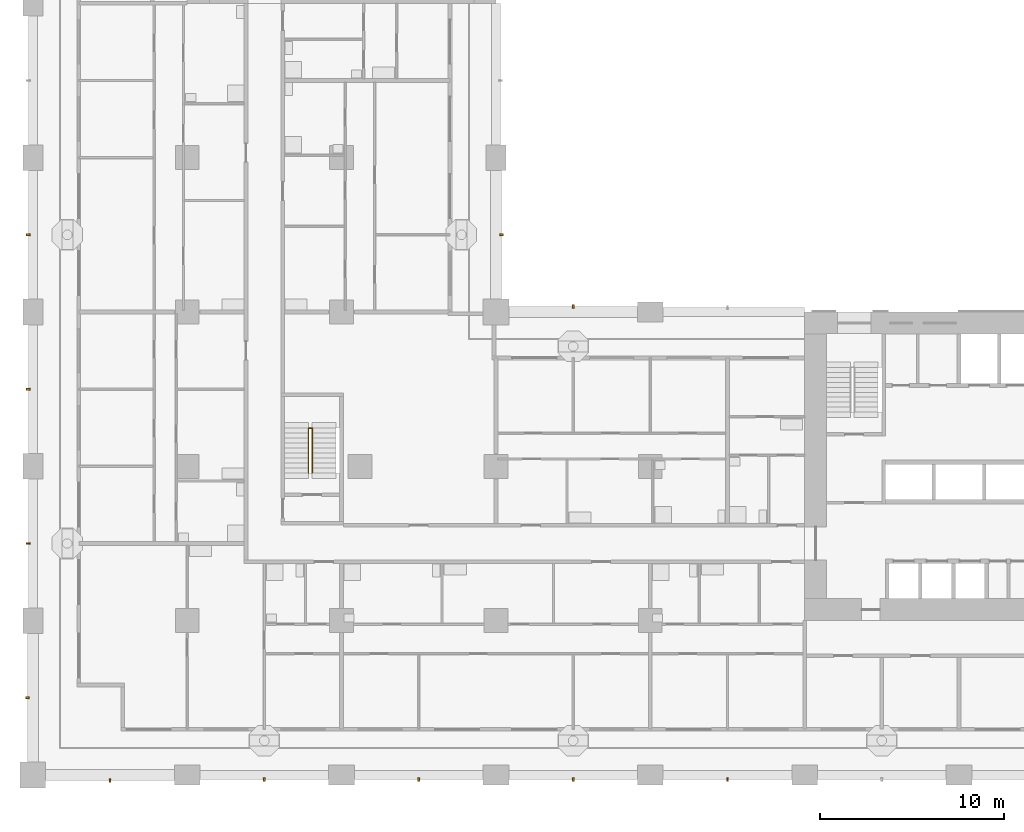
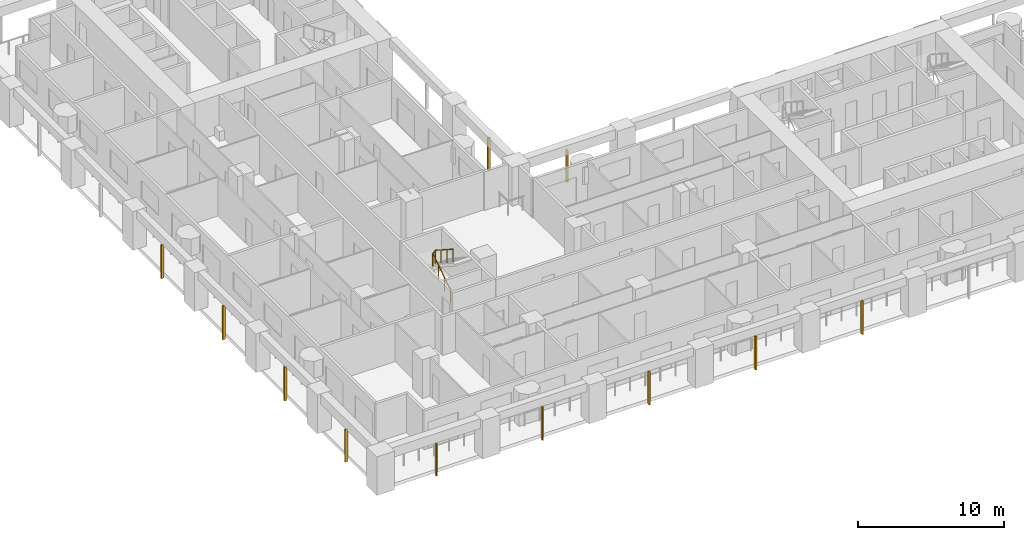
# One storey, part 11 of 20: 11 shading devices, 1 railing.
"""IFC4 building model written with IfcOpenShell, lengths in metres."""

from ifc_helpers import new_model, si_unit, direction, frame, origin, origin_2d, place, context, subcontext, project, spatial, rectangle, circle, extrude, material, material_profile, profile_set, type_object, element, save


model = new_model("IFC4")

# Units and contexts
model_context = context("Model", 3, precision=1e-05, world=origin(), true_north=direction((0.0, 1.0)))
body_context = subcontext(model_context, "Body", "Model", "MODEL_VIEW")
ifc_project = project(units=[si_unit("LENGTHUNIT", "METRE"), si_unit("AREAUNIT", "SQUARE_METRE"), si_unit("VOLUMEUNIT", "CUBIC_METRE"), si_unit("PLANEANGLEUNIT", "RADIAN"), si_unit("MASSUNIT", "GRAM", prefix="KILO")], contexts=[model_context])

# Site, building, storey
site_placement = place(None, origin())
site = spatial("IfcSite", under=ifc_project, at=site_placement, CompositionType="ELEMENT")
building_placement = place(site_placement, origin())
building = spatial("IfcBuilding", under=site, at=building_placement, Name="Vermilion Gate Residences", CompositionType="ELEMENT")
storey_placement = place(building_placement, frame((0.0, 0.0, 42.699951171875)))
storey = spatial("IfcBuildingStorey", under=building, at=storey_placement, Name="L09", CompositionType="ELEMENT", Elevation=42.699951171875)

# Railing
ifc_material_1 = material(Name="Steel S355", Category="steel")
railing_type = type_object("IfcRailingType", Name="STAIR GUARD 1100 STEEL", PredefinedType="GUARDRAIL", material=ifc_material_1)
railing_placement = place(storey_placement, frame((15.0, 16.449951171875, 0.175048828125)))
element("IfcRailing", 1, at=railing_placement, inside=storey, type_object=railing_type, Name="Stair well guard STC1-09", PredefinedType="GUARDRAIL", context=body_context, shape_type="SweptSolid", body=[
    extrude(circle(Radius=0.02392578125, at=origin_2d()), frame((0.0, 0.0, 1.076171875), z_axis=(0.0, 0.839153699163, 0.543894354798), x_axis=(-1.0, 0.0, 0.0)), (0.0, 0.0, 1.0), 2.895751953125),
    extrude(circle(Radius=0.02392578125, at=origin_2d()), frame((0.0, 2.429931640625, 2.65087890625), z_axis=(0.752405939678, 0.0, 0.658699705433), x_axis=(0.0, 1.0, 0.0)), (0.0, 0.0, 1.0), 0.265869140625),
    extrude(circle(Radius=0.02392578125, at=origin_2d()), frame((0.199951171875, 2.429931640625, 2.826171875), z_axis=(0.0, -0.839153699163, 0.543894354798), x_axis=(1.0, 0.0, 0.0)), (0.0, 0.0, 1.0), 2.895751953125),
    extrude(circle(Radius=0.02099609375, at=origin_2d()), origin(), (0.0, 0.0, 1.0), 1.052001953125),
    extrude(circle(Radius=0.02099609375, at=origin_2d()), frame((0.0, 0.81005859375, 0.52490234375)), (0.0, 0.0, 1.0), 1.052001953125),
    extrude(circle(Radius=0.02099609375, at=origin_2d()), frame((0.0, 1.619873046875, 1.050048828125)), (0.0, 0.0, 1.0), 1.052001953125),
    extrude(circle(Radius=0.02099609375, at=origin_2d()), frame((0.0, 2.429931640625, 1.574951171875)), (0.0, 0.0, 1.0), 1.052001953125),
    extrude(circle(Radius=0.02099609375, at=origin_2d()), frame((0.199951171875, 2.429931640625, 1.75)), (0.0, 0.0, 1.0), 1.052001953125),
    extrude(circle(Radius=0.02099609375, at=origin_2d()), frame((0.199951171875, 1.619873046875, 2.27490234375)), (0.0, 0.0, 1.0), 1.052001953125),
    extrude(circle(Radius=0.02099609375, at=origin_2d()), frame((0.199951171875, 0.81005859375, 2.800048828125)), (0.0, 0.0, 1.0), 1.052001953125),
    extrude(circle(Radius=0.02099609375, at=origin_2d()), frame((0.199951171875, 0.0, 3.324951171875)), (0.0, 0.0, 1.0), 1.052001953125),
])

# Shading devices
ifc_material_2 = material(Name="Extruded terracotta", Category="masonry")
ifc_material_profile = material_profile(ifc_material_2, rectangle(XDim=0.199951171875, YDim=0.10009765625, at=origin_2d()), Name="BAGUETTE 100 X 200")
ifc_profile_set = profile_set([ifc_material_profile], Name="Extruded terracotta")
shading_device_type = type_object("IfcShadingDeviceType", Name="TERRACOTTA BAGUETTE 100 X 200", PredefinedType="JALOUSIE", material=ifc_profile_set)
shading_device_placement = place(storey_placement, frame((4.199951171875, -0.300048828125, -0.280029296875), z_axis=(0.0, 0.0, 1.0), x_axis=(0.0, 1.0, 0.0)))
element("IfcShadingDevice", 2, at=shading_device_placement, inside=storey, type_object=shading_device_type, Name="BAGUETTE", PredefinedType="JALOUSIE", context=body_context, shape_type="SweptSolid", body=[
    extrude(rectangle(XDim=0.199951171875, YDim=0.10009765625, at=origin_2d()), origin(), (0.0, 0.0, 1.0), 2.7001953125),
])
for number, where, z_axis, x_axis, name in (
    (3, (12.60009765625, -0.25, -0.280029296875), (0.0, 0.0, 1.0), (0.0, 1.0, 0.0), "BAGUETTE"),
    (4, (21.0, -0.25, -0.280029296875), (0.0, 0.0, 1.0), (0.0, 1.0, 0.0), "BAGUETTE"),
    (5, (29.39990234375, -0.25, -0.280029296875), (0.0, 0.0, 1.0), (0.0, 1.0, 0.0), "BAGUETTE"),
    (6, (37.800048828125, -0.25, -0.280029296875), (0.0, 0.0, 1.0), (0.0, 1.0, 0.0), "BAGUETTE"),
):
    element("IfcShadingDevice", number, at=place(storey_placement, frame(where, z_axis=z_axis, x_axis=x_axis)), inside=storey, type_object=shading_device_type, Name=name, PredefinedType="JALOUSIE", context=body_context, shape_type="SweptSolid", body=[
        extrude(rectangle(XDim=0.199951171875, YDim=0.10009765625, at=origin_2d()), origin(), (0.0, 0.0, 1.0), 2.800048828125),
    ])
for number, where, z_axis, x_axis, name in (
    (7, (29.39990234375, 25.5, -0.280029296875), (0.0, 0.0, 1.0), (0.0, -1.0, 0.0), "BAGUETTE"),
    (8, (25.5, 29.39990234375, -0.280029296875), (0.0, 0.0, 1.0), (-1.0, 0.0, 0.0), "BAGUETTE"),
    (9, (-0.300048828125, 4.199951171875, -0.280029296875), (0.0, 0.0, 1.0), (1.0, 0.0, 0.0), "BAGUETTE"),
):
    element("IfcShadingDevice", number, at=place(storey_placement, frame(where, z_axis=z_axis, x_axis=x_axis)), inside=storey, type_object=shading_device_type, Name=name, PredefinedType="JALOUSIE", context=body_context, shape_type="SweptSolid", body=[
        extrude(rectangle(XDim=0.199951171875, YDim=0.10009765625, at=origin_2d()), origin(), (0.0, 0.0, 1.0), 2.7001953125),
    ])
for number, where, z_axis, x_axis, name in (
    (10, (-0.25, 12.60009765625, -0.280029296875), (0.0, 0.0, 1.0), (1.0, 0.0, 0.0), "BAGUETTE"),
    (11, (-0.25, 21.0, -0.280029296875), (0.0, 0.0, 1.0), (1.0, 0.0, 0.0), "BAGUETTE"),
    (12, (-0.25, 29.39990234375, -0.280029296875), (0.0, 0.0, 1.0), (1.0, 0.0, 0.0), "BAGUETTE"),
):
    element("IfcShadingDevice", number, at=place(storey_placement, frame(where, z_axis=z_axis, x_axis=x_axis)), inside=storey, type_object=shading_device_type, Name=name, PredefinedType="JALOUSIE", context=body_context, shape_type="SweptSolid", body=[
        extrude(rectangle(XDim=0.199951171875, YDim=0.10009765625, at=origin_2d()), origin(), (0.0, 0.0, 1.0), 2.800048828125),
    ])

save(model, "model.ifc")
